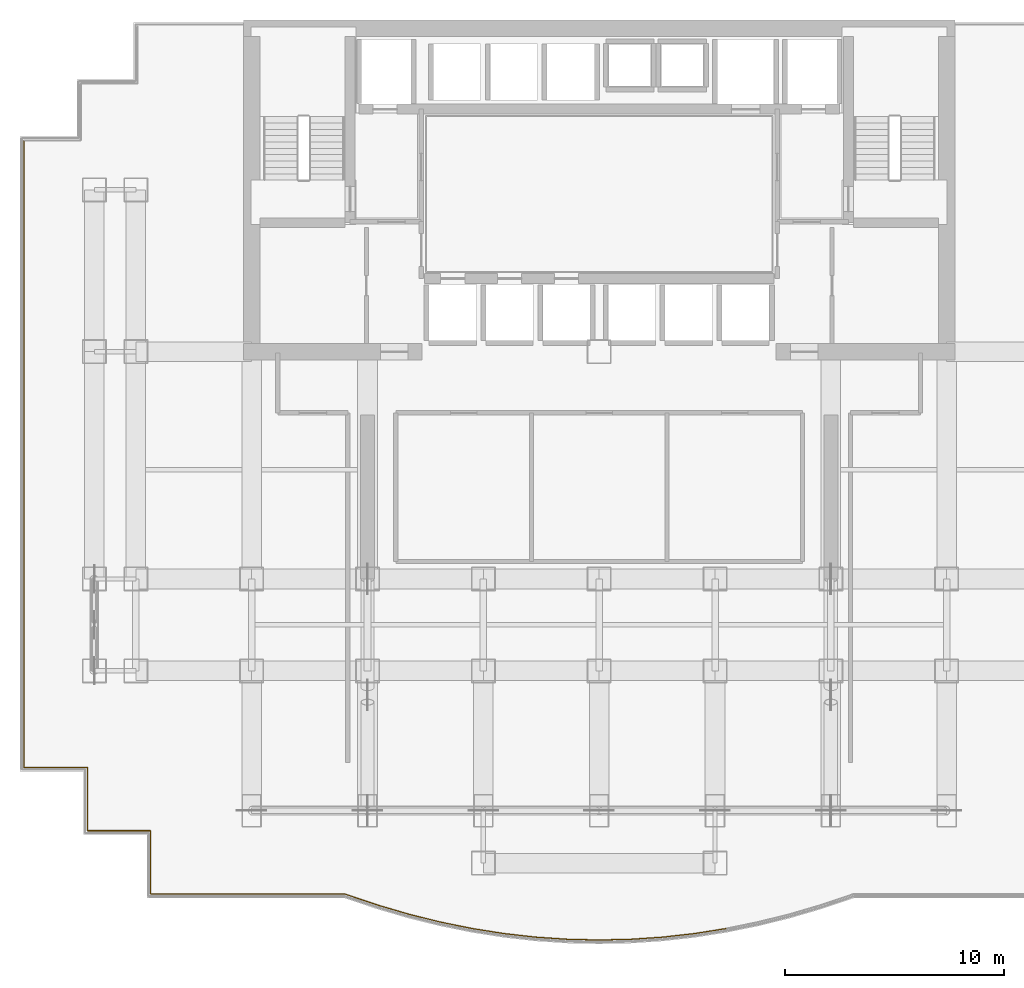
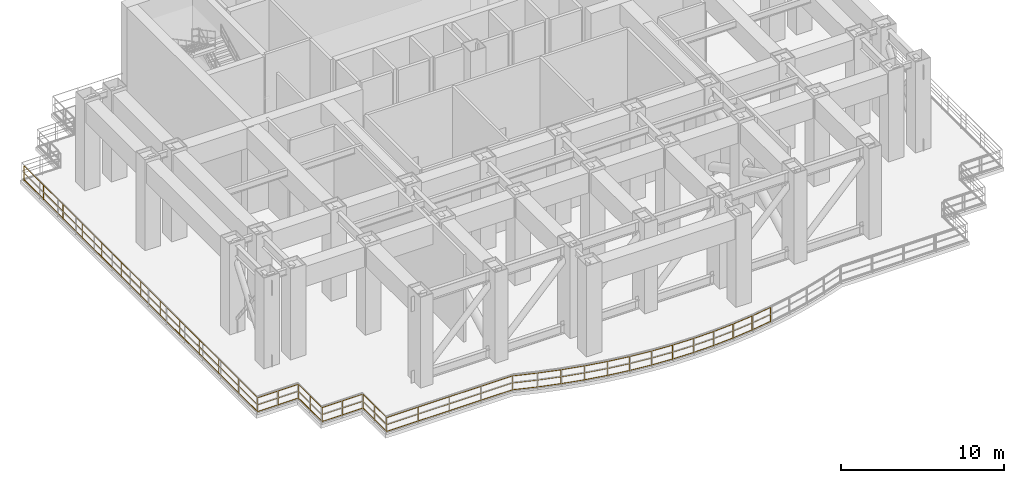
# One storey, part 5 of 7: 18 railings.
"""IFC4 building model written with IfcOpenShell, lengths in metres."""

import ifcopenshell
import ifcopenshell.guid

model = None  # the IFC model being written
_history = None  # IfcOwnerHistory: only IFC2X3 demands one
_inside = {}  # id of a spatial element -> (the spatial element, [elements in it])
_under = {}  # id of a project, library or spatial element -> (it, [spatial elements below it])
_declared = {}  # id of a project -> (the project, [libraries it declares])
_typed = {}  # id of a type object -> (the type object, [elements of that type])
_made_of = {}  # id of a material, layer set ... -> (it, [elements and type objects made of it])


def new_model(schema):
    """Start an empty IFC model of exactly this schema.

    Asked for "IFC4X3", IfcOpenShell would pick the latest addendum, in which some entities
    have other attributes; the version numbers below select the first issue.
    IFC2X3 requires an IfcOwnerHistory on every rooted entity: one is made here for all.
    """
    global model, _history
    if schema == "IFC4X3":
        model = ifcopenshell.file(schema_version=(4, 3, 0, 0))
    else:
        model = ifcopenshell.file(schema=schema)
    _inside.clear()
    _under.clear()
    _declared.clear()
    _typed.clear()
    _made_of.clear()
    _history = None
    if model.schema == "IFC2X3":
        org = make("IfcOrganization", Name="unknown")
        user = make(
            "IfcPersonAndOrganization",
            ThePerson=make("IfcPerson", FamilyName="unknown"),
            TheOrganization=org,
        )
        app = make(
            "IfcApplication",
            ApplicationDeveloper=org,
            Version="unknown",
            ApplicationFullName="unknown",
            ApplicationIdentifier="unknown",
        )
        _history = make(
            "IfcOwnerHistory",
            OwningUser=user,
            OwningApplication=app,
            ChangeAction="ADDED",
            CreationDate=0,
        )
    return model


def make(cls, **values):
    """One entity of the class cls with the attributes given. An attribute that is None is left unset."""
    return model.create_entity(
        cls, **{name: value for name, value in values.items() if value is not None}
    )


def rooted(cls, **values):
    """An entity with a GlobalId (a new one), such as an element, a storey or a relation."""
    return make(cls, GlobalId=ifcopenshell.guid.new(), OwnerHistory=_history, **values)


def si_unit(unit_type, name, prefix=None):
    """IfcSIUnit, for example si_unit("LENGTHUNIT", "METRE", prefix="MILLI")."""
    return make("IfcSIUnit", UnitType=unit_type, Prefix=prefix, Name=name)


def assignment(units):
    """IfcUnitAssignment: the units of a project."""
    return None if units is None else make("IfcUnitAssignment", Units=units)


def point(xyz):
    """IfcCartesianPoint."""
    return None if xyz is None else make("IfcCartesianPoint", Coordinates=xyz)


def direction(xyz):
    """IfcDirection."""
    return None if xyz is None else make("IfcDirection", DirectionRatios=xyz)


def frame(location, z_axis=None, x_axis=None):
    """IfcAxis2Placement3D, a coordinate frame: its origin and axes. An axis left out is left unset."""
    return make(
        "IfcAxis2Placement3D",
        Location=point(location),
        Axis=direction(z_axis),
        RefDirection=direction(x_axis),
    )


def frame_2d(location, x_axis=None):
    """IfcAxis2Placement2D, a coordinate frame in the plane: its origin and x axis."""
    return make(
        "IfcAxis2Placement2D", Location=point(location), RefDirection=direction(x_axis)
    )


def origin():
    """The frame at (0, 0, 0) with its axes left unset."""
    return frame((0.0, 0.0, 0.0))


def origin_2d():
    """The frame at (0, 0) in the plane with its x axis left unset."""
    return frame_2d((0.0, 0.0))


def place(relative_to, where):
    """IfcLocalPlacement: puts the frame where relative to a parent placement (None: the world)."""
    return make(
        "IfcLocalPlacement", PlacementRelTo=relative_to, RelativePlacement=where
    )


def context(
    kind, dimensions, precision=None, world=None, true_north=None, identifier=None
):
    """IfcGeometricRepresentationContext, for example the 3D "Model" context."""
    return make(
        "IfcGeometricRepresentationContext",
        ContextIdentifier=identifier,
        ContextType=kind,
        CoordinateSpaceDimension=dimensions,
        Precision=precision,
        WorldCoordinateSystem=world,
        TrueNorth=true_north,
    )


def subcontext(parent, identifier, kind, view, scale=None):
    """IfcGeometricRepresentationSubContext, for example "Body" below "Model"."""
    return make(
        "IfcGeometricRepresentationSubContext",
        ContextIdentifier=identifier,
        ContextType=kind,
        ParentContext=parent,
        TargetScale=scale,
        TargetView=view,
    )


def project(units=None, contexts=None):
    """IfcProject with its units and contexts."""
    return rooted(
        "IfcProject",
        Name="project",
        RepresentationContexts=contexts,
        UnitsInContext=assignment(units),
    )


def spatial(cls, under=None, at=None, **own):
    """A site, building, storey or space (cls), placed at a placement, below another one or the project."""
    s = rooted(cls, ObjectPlacement=at, **own)
    if under is not None:
        _under.setdefault(under.id(), (under, []))[1].append(s)
    return s


def profile(cls, at=None, kind="AREA", **sizes):
    """A parametric profile (cls). Its sizes go by their IFC names, for example OverallWidth=200.0."""
    return make(cls, ProfileType=kind, Position=at, **sizes)


def circle(**sizes):
    """IfcCircleProfileDef."""
    return profile("IfcCircleProfileDef", **sizes)


def extrude(swept, where, along, depth):
    """IfcExtrudedAreaSolid: the profile swept, set in the frame where, extruded along a direction by depth."""
    return make(
        "IfcExtrudedAreaSolid",
        SweptArea=swept,
        Position=where,
        ExtrudedDirection=direction(along),
        Depth=depth,
    )


def shape(context_of_items, identifier, shape_type, items):
    """IfcShapeRepresentation: the items that make up one representation, for example the "Body"."""
    return make(
        "IfcShapeRepresentation",
        ContextOfItems=context_of_items,
        RepresentationIdentifier=identifier,
        RepresentationType=shape_type,
        Items=items,
    )


def material(Name=None, Category=None):
    """IfcMaterial."""
    return make("IfcMaterial", Name=Name, Category=Category)


def made_of(thing, what):
    """Note that an element or type object is made of a material, layer set ...; save() writes the relation."""
    if what is not None:
        _made_of.setdefault(what.id(), (what, []))[1].append(thing)
    return thing


def type_object(cls, material=None, **own):
    """A type object (cls), such as IfcWallType, which elements share."""
    return made_of(rooted(cls, **own), material)


def element(
    cls,
    number,
    at=None,
    inside=None,
    cuts=None,
    type_object=None,
    material=None,
    context=None,
    identifier="Body",
    shape_type=None,
    held_by="IfcProductDefinitionShape",
    body=None,
    shapes=None,
    **own,
):
    """One element of the class cls, such as IfcWall. Its Tag is "e" and its number.

    at: its placement. inside: the storey or other place that contains it. cuts: it is an
    opening in that element (IfcRelVoidsElement). A single representation is given by context,
    identifier, shape_type and body (its items); several are given by shapes. held_by: the class
    of the entity that holds the representations. save() writes the other relations.
    """
    e = rooted(cls, Tag="e%d" % number, ObjectPlacement=at, **own)
    if body is not None:
        shapes = [shape(context, identifier, shape_type, body)]
    if shapes is not None:
        e.Representation = make(held_by, Representations=shapes)
    if inside is not None:
        _inside.setdefault(inside.id(), (inside, []))[1].append(e)
    if cuts is not None:
        rooted(
            "IfcRelVoidsElement", RelatingBuildingElement=cuts, RelatedOpeningElement=e
        )
    if type_object is not None:
        _typed.setdefault(type_object.id(), (type_object, []))[1].append(e)
    return made_of(e, material)


def aggregate(whole, parts):
    """IfcRelAggregates: a whole, such as a stair, and the parts it consists of."""
    return rooted("IfcRelAggregates", RelatingObject=whole, RelatedObjects=parts)


def save(model, path):
    """Write the relations noted so far, then the file.

    IfcRelAggregates (storeys below a building ...), IfcRelContainedInSpatialStructure (elements
    in a storey), IfcRelDefinesByType, IfcRelAssociatesMaterial and IfcRelDeclares: one each for
    every whole, place, type object, material and project.
    """
    for whole, parts in _under.values():
        aggregate(whole, parts)
    for where, things in _inside.values():
        rooted(
            "IfcRelContainedInSpatialStructure",
            RelatedElements=things,
            RelatingStructure=where,
        )
    for kind, things in _typed.values():
        rooted("IfcRelDefinesByType", RelatedObjects=things, RelatingType=kind)
    for what, things in _made_of.values():
        rooted("IfcRelAssociatesMaterial", RelatedObjects=things, RelatingMaterial=what)
    for by, libraries in _declared.values():
        rooted("IfcRelDeclares", RelatingContext=by, RelatedDefinitions=libraries)
    model.write(path)


model = new_model("IFC4")

# Units and contexts
model_context = context("Model", 3, precision=1e-05, world=origin(), true_north=direction((0.0, 1.0)))
body_context = subcontext(model_context, "Body", "Model", "MODEL_VIEW")
ifc_project = project(units=[si_unit("LENGTHUNIT", "METRE"), si_unit("AREAUNIT", "SQUARE_METRE"), si_unit("VOLUMEUNIT", "CUBIC_METRE"), si_unit("PLANEANGLEUNIT", "RADIAN"), si_unit("MASSUNIT", "GRAM", prefix="KILO")], contexts=[model_context])

# Site, building, storey
site_placement = place(None, origin())
site = spatial("IfcSite", under=ifc_project, at=site_placement, CompositionType="ELEMENT")
building_placement = place(site_placement, origin())
building = spatial("IfcBuilding", under=site, at=building_placement, Name="Qianlan Lanfeng Residences", CompositionType="ELEMENT")
storey_placement = place(building_placement, frame((0.0, 0.0, 70.39990234375)))
storey = spatial("IfcBuildingStorey", under=building, at=storey_placement, Name="L19", CompositionType="ELEMENT", Elevation=70.39990234375)

# Railings
ifc_material = material(Name="Painted Galvanised Steel Guardrail", Category="steel")
railing_type = type_object("IfcRailingType", Name="GR-ST-1120", PredefinedType="GUARDRAIL", material=ifc_material)
railing_1_placement = place(storey_placement, frame((0.179931640625, 6.179931640625, 0.0)))
element("IfcRailing", 1, at=railing_1_placement, inside=storey, type_object=railing_type, Name="L19 Wind-Slot Open Perimeter Guardrail 1", PredefinedType="GUARDRAIL", context=body_context, shape_type="SweptSolid", body=[
    extrude(circle(Radius=0.02392578125, at=origin_2d()), frame((0.0, 0.0, 0.083984375), z_axis=(0.0, 1.0, 0.0), x_axis=(-1.0, 0.0, 0.0)), (0.0, 0.0, 1.0), 28.690185546875),
    extrude(circle(Radius=0.02392578125, at=origin_2d()), frame((0.0, 0.0, 0.597900390625), z_axis=(0.0, 1.0, 0.0), x_axis=(-1.0, 0.0, 0.0)), (0.0, 0.0, 1.0), 28.690185546875),
    extrude(circle(Radius=0.02392578125, at=origin_2d()), frame((0.0, 0.0, 1.1259765625), z_axis=(0.0, 1.0, 0.0), x_axis=(-1.0, 0.0, 0.0)), (0.0, 0.0, 1.0), 28.690185546875),
    extrude(circle(Radius=0.02099609375, at=origin_2d()), origin(), (0.0, 0.0, 1.0), 1.101806640625),
    extrude(circle(Radius=0.02099609375, at=origin_2d()), frame((0.0, 2.390869140625, 0.0)), (0.0, 0.0, 1.0), 1.101806640625),
    extrude(circle(Radius=0.02099609375, at=origin_2d()), frame((0.0, 4.78173828125, 0.0)), (0.0, 0.0, 1.0), 1.101806640625),
    extrude(circle(Radius=0.02099609375, at=origin_2d()), frame((0.0, 7.172607421875, 0.0)), (0.0, 0.0, 1.0), 1.101806640625),
    extrude(circle(Radius=0.02099609375, at=origin_2d()), frame((0.0, 9.5634765625, 0.0)), (0.0, 0.0, 1.0), 1.101806640625),
    extrude(circle(Radius=0.02099609375, at=origin_2d()), frame((0.0, 11.954345703125, 0.0)), (0.0, 0.0, 1.0), 1.101806640625),
    extrude(circle(Radius=0.02099609375, at=origin_2d()), frame((0.0, 14.34521484375, 0.0)), (0.0, 0.0, 1.0), 1.101806640625),
    extrude(circle(Radius=0.02099609375, at=origin_2d()), frame((0.0, 16.73583984375, 0.0)), (0.0, 0.0, 1.0), 1.101806640625),
    extrude(circle(Radius=0.02099609375, at=origin_2d()), frame((0.0, 19.126708984375, 0.0)), (0.0, 0.0, 1.0), 1.101806640625),
    extrude(circle(Radius=0.02099609375, at=origin_2d()), frame((0.0, 21.517578125, 0.0)), (0.0, 0.0, 1.0), 1.101806640625),
    extrude(circle(Radius=0.02099609375, at=origin_2d()), frame((0.0, 23.908447265625, 0.0)), (0.0, 0.0, 1.0), 1.101806640625),
    extrude(circle(Radius=0.02099609375, at=origin_2d()), frame((0.0, 26.29931640625, 0.0)), (0.0, 0.0, 1.0), 1.101806640625),
    extrude(circle(Radius=0.02099609375, at=origin_2d()), frame((0.0, 28.690185546875, 0.0)), (0.0, 0.0, 1.0), 1.101806640625),
])
railing_2_placement = place(storey_placement, frame((32.29296875, -1.197998046875, 0.0)))
element("IfcRailing", 2, at=railing_2_placement, inside=storey, type_object=railing_type, Name="L19 Wind-Slot Open Perimeter Guardrail 20", PredefinedType="GUARDRAIL", context=body_context, shape_type="SweptSolid", body=[
    extrude(circle(Radius=0.02392578125, at=origin_2d()), frame((0.0, 0.0, 0.083984375), z_axis=(-0.98772377578, -0.156210571857, 0.0), x_axis=(0.156210571857, -0.98772377578, 0.0)), (0.0, 0.0, 1.0), 1.466064453125),
    extrude(circle(Radius=0.02392578125, at=origin_2d()), frame((0.0, 0.0, 0.597900390625), z_axis=(-0.98772377578, -0.156210571857, 0.0), x_axis=(0.156210571857, -0.98772377578, 0.0)), (0.0, 0.0, 1.0), 1.466064453125),
    extrude(circle(Radius=0.02392578125, at=origin_2d()), frame((0.0, 0.0, 1.1259765625), z_axis=(-0.98772377578, -0.156210571857, 0.0), x_axis=(0.156210571857, -0.98772377578, 0.0)), (0.0, 0.0, 1.0), 1.466064453125),
    extrude(circle(Radius=0.02099609375, at=origin_2d()), origin(), (0.0, 0.0, 1.0), 1.101806640625),
    extrude(circle(Radius=0.02099609375, at=origin_2d()), frame((-1.447998046875, -0.22900390625, 0.0)), (0.0, 0.0, 1.0), 1.101806640625),
])
railing_3_placement = place(storey_placement, frame((30.844970703125, -1.427001953125, 0.0)))
element("IfcRailing", 3, at=railing_3_placement, inside=storey, type_object=railing_type, Name="L19 Wind-Slot Open Perimeter Guardrail 21", PredefinedType="GUARDRAIL", context=body_context, shape_type="SweptSolid", body=[
    extrude(circle(Radius=0.02392578125, at=origin_2d()), frame((0.0, 0.0, 0.083984375), z_axis=(-0.993725502004, -0.111846442349, 0.0), x_axis=(0.111846442349, -0.993725502004, 0.0)), (0.0, 0.0, 1.0), 1.4580078125),
    extrude(circle(Radius=0.02392578125, at=origin_2d()), frame((0.0, 0.0, 0.597900390625), z_axis=(-0.993725502004, -0.111846442349, 0.0), x_axis=(0.111846442349, -0.993725502004, 0.0)), (0.0, 0.0, 1.0), 1.4580078125),
    extrude(circle(Radius=0.02392578125, at=origin_2d()), frame((0.0, 0.0, 1.1259765625), z_axis=(-0.993725502004, -0.111846442349, 0.0), x_axis=(0.111846442349, -0.993725502004, 0.0)), (0.0, 0.0, 1.0), 1.4580078125),
    extrude(circle(Radius=0.02099609375, at=origin_2d()), origin(), (0.0, 0.0, 1.0), 1.101806640625),
    extrude(circle(Radius=0.02099609375, at=origin_2d()), frame((-1.448974609375, -0.1630859375, 0.0)), (0.0, 0.0, 1.0), 1.101806640625),
])
railing_4_placement = place(storey_placement, frame((29.39599609375, -1.590087890625, 0.0)))
element("IfcRailing", 4, at=railing_4_placement, inside=storey, type_object=railing_type, Name="L19 Wind-Slot Open Perimeter Guardrail 22", PredefinedType="GUARDRAIL", context=body_context, shape_type="SweptSolid", body=[
    extrude(circle(Radius=0.02392578125, at=origin_2d()), frame((0.0, 0.0, 0.083984375), z_axis=(-0.997767256826, -0.066786983807, 0.0), x_axis=(0.066786983807, -0.997767256826, 0.0)), (0.0, 0.0, 1.0), 1.451171875),
    extrude(circle(Radius=0.02392578125, at=origin_2d()), frame((0.0, 0.0, 0.597900390625), z_axis=(-0.997767256826, -0.066786983807, 0.0), x_axis=(0.066786983807, -0.997767256826, 0.0)), (0.0, 0.0, 1.0), 1.451171875),
    extrude(circle(Radius=0.02392578125, at=origin_2d()), frame((0.0, 0.0, 1.1259765625), z_axis=(-0.997767256826, -0.066786983807, 0.0), x_axis=(0.066786983807, -0.997767256826, 0.0)), (0.0, 0.0, 1.0), 1.451171875),
    extrude(circle(Radius=0.02099609375, at=origin_2d()), origin(), (0.0, 0.0, 1.0), 1.101806640625),
    extrude(circle(Radius=0.02099609375, at=origin_2d()), frame((-1.447998046875, -0.096923828125, 0.0)), (0.0, 0.0, 1.0), 1.101806640625),
])
railing_5_placement = place(storey_placement, frame((27.947998046875, -1.68701171875, 0.0)))
element("IfcRailing", 5, at=railing_5_placement, inside=storey, type_object=railing_type, Name="L19 Wind-Slot Open Perimeter Guardrail 23", PredefinedType="GUARDRAIL", context=body_context, shape_type="SweptSolid", body=[
    extrude(circle(Radius=0.02392578125, at=origin_2d()), frame((0.0, 0.0, 0.083984375), z_axis=(-0.999741051751, -0.022755866125, 0.0), x_axis=(0.022755866125, -0.999741051751, 0.0)), (0.0, 0.0, 1.0), 1.448486328125),
    extrude(circle(Radius=0.02392578125, at=origin_2d()), frame((0.0, 0.0, 0.597900390625), z_axis=(-0.999741051751, -0.022755866125, 0.0), x_axis=(0.022755866125, -0.999741051751, 0.0)), (0.0, 0.0, 1.0), 1.448486328125),
    extrude(circle(Radius=0.02392578125, at=origin_2d()), frame((0.0, 0.0, 1.1259765625), z_axis=(-0.999741051751, -0.022755866125, 0.0), x_axis=(0.022755866125, -0.999741051751, 0.0)), (0.0, 0.0, 1.0), 1.448486328125),
    extrude(circle(Radius=0.02099609375, at=origin_2d()), origin(), (0.0, 0.0, 1.0), 1.101806640625),
    extrude(circle(Radius=0.02099609375, at=origin_2d()), frame((-1.447998046875, -0.032958984375, 0.0)), (0.0, 0.0, 1.0), 1.101806640625),
])
railing_6_placement = place(storey_placement, frame((26.5, -1.719970703125, 0.0)))
element("IfcRailing", 6, at=railing_6_placement, inside=storey, type_object=railing_type, Name="L19 Wind-Slot Open Perimeter Guardrail 24", PredefinedType="GUARDRAIL", context=body_context, shape_type="SweptSolid", body=[
    extrude(circle(Radius=0.02392578125, at=origin_2d()), frame((0.0, 0.0, 0.083984375), z_axis=(-0.999741051751, 0.022755866125, 0.0), x_axis=(-0.022755866125, -0.999741051751, 0.0)), (0.0, 0.0, 1.0), 1.448486328125),
    extrude(circle(Radius=0.02392578125, at=origin_2d()), frame((0.0, 0.0, 0.597900390625), z_axis=(-0.999741051751, 0.022755866125, 0.0), x_axis=(-0.022755866125, -0.999741051751, 0.0)), (0.0, 0.0, 1.0), 1.448486328125),
    extrude(circle(Radius=0.02392578125, at=origin_2d()), frame((0.0, 0.0, 1.1259765625), z_axis=(-0.999741051751, 0.022755866125, 0.0), x_axis=(-0.022755866125, -0.999741051751, 0.0)), (0.0, 0.0, 1.0), 1.448486328125),
    extrude(circle(Radius=0.02099609375, at=origin_2d()), origin(), (0.0, 0.0, 1.0), 1.101806640625),
    extrude(circle(Radius=0.02099609375, at=origin_2d()), frame((-1.447998046875, 0.032958984375, 0.0)), (0.0, 0.0, 1.0), 1.101806640625),
])
railing_7_placement = place(storey_placement, frame((25.052001953125, -1.68701171875, 0.0)))
element("IfcRailing", 7, at=railing_7_placement, inside=storey, type_object=railing_type, Name="L19 Wind-Slot Open Perimeter Guardrail 25", PredefinedType="GUARDRAIL", context=body_context, shape_type="SweptSolid", body=[
    extrude(circle(Radius=0.02392578125, at=origin_2d()), frame((0.0, 0.0, 0.083984375), z_axis=(-0.997770255352, 0.066742172093, 0.0), x_axis=(-0.066742172093, -0.997770255352, 0.0)), (0.0, 0.0, 1.0), 1.4521484375),
    extrude(circle(Radius=0.02392578125, at=origin_2d()), frame((0.0, 0.0, 0.597900390625), z_axis=(-0.997770255352, 0.066742172093, 0.0), x_axis=(-0.066742172093, -0.997770255352, 0.0)), (0.0, 0.0, 1.0), 1.4521484375),
    extrude(circle(Radius=0.02392578125, at=origin_2d()), frame((0.0, 0.0, 1.1259765625), z_axis=(-0.997770255352, 0.066742172093, 0.0), x_axis=(-0.066742172093, -0.997770255352, 0.0)), (0.0, 0.0, 1.0), 1.4521484375),
    extrude(circle(Radius=0.02099609375, at=origin_2d()), origin(), (0.0, 0.0, 1.0), 1.101806640625),
    extrude(circle(Radius=0.02099609375, at=origin_2d()), frame((-1.448974609375, 0.096923828125, 0.0)), (0.0, 0.0, 1.0), 1.101806640625),
])
railing_8_placement = place(storey_placement, frame((23.60302734375, -1.590087890625, 0.0)))
element("IfcRailing", 8, at=railing_8_placement, inside=storey, type_object=railing_type, Name="L19 Wind-Slot Open Perimeter Guardrail 26", PredefinedType="GUARDRAIL", context=body_context, shape_type="SweptSolid", body=[
    extrude(circle(Radius=0.02392578125, at=origin_2d()), frame((0.0, 0.0, 0.083984375), z_axis=(-0.993717115446, 0.111920929543, 0.0), x_axis=(-0.111920929543, -0.993717115446, 0.0)), (0.0, 0.0, 1.0), 1.45703125),
    extrude(circle(Radius=0.02392578125, at=origin_2d()), frame((0.0, 0.0, 0.597900390625), z_axis=(-0.993717115446, 0.111920929543, 0.0), x_axis=(-0.111920929543, -0.993717115446, 0.0)), (0.0, 0.0, 1.0), 1.45703125),
    extrude(circle(Radius=0.02392578125, at=origin_2d()), frame((0.0, 0.0, 1.1259765625), z_axis=(-0.993717115446, 0.111920929543, 0.0), x_axis=(-0.111920929543, -0.993717115446, 0.0)), (0.0, 0.0, 1.0), 1.45703125),
    extrude(circle(Radius=0.02099609375, at=origin_2d()), origin(), (0.0, 0.0, 1.0), 1.101806640625),
    extrude(circle(Radius=0.02099609375, at=origin_2d()), frame((-1.447998046875, 0.1630859375, 0.0)), (0.0, 0.0, 1.0), 1.101806640625),
])
railing_9_placement = place(storey_placement, frame((22.155029296875, -1.427001953125, 0.0)))
element("IfcRailing", 9, at=railing_9_placement, inside=storey, type_object=railing_type, Name="L19 Wind-Slot Open Perimeter Guardrail 27", PredefinedType="GUARDRAIL", context=body_context, shape_type="SweptSolid", body=[
    extrude(circle(Radius=0.02392578125, at=origin_2d()), frame((0.0, 0.0, 0.083984375), z_axis=(-0.98772377578, 0.156210571857, 0.0), x_axis=(-0.156210571857, -0.98772377578, 0.0)), (0.0, 0.0, 1.0), 1.466064453125),
    extrude(circle(Radius=0.02392578125, at=origin_2d()), frame((0.0, 0.0, 0.597900390625), z_axis=(-0.98772377578, 0.156210571857, 0.0), x_axis=(-0.156210571857, -0.98772377578, 0.0)), (0.0, 0.0, 1.0), 1.466064453125),
    extrude(circle(Radius=0.02392578125, at=origin_2d()), frame((0.0, 0.0, 1.1259765625), z_axis=(-0.98772377578, 0.156210571857, 0.0), x_axis=(-0.156210571857, -0.98772377578, 0.0)), (0.0, 0.0, 1.0), 1.466064453125),
    extrude(circle(Radius=0.02099609375, at=origin_2d()), origin(), (0.0, 0.0, 1.0), 1.101806640625),
    extrude(circle(Radius=0.02099609375, at=origin_2d()), frame((-1.447998046875, 0.22900390625, 0.0)), (0.0, 0.0, 1.0), 1.101806640625),
])
railing_10_placement = place(storey_placement, frame((20.70703125, -1.197998046875, 0.0)))
element("IfcRailing", 10, at=railing_10_placement, inside=storey, type_object=railing_type, Name="L19 Wind-Slot Open Perimeter Guardrail 28", PredefinedType="GUARDRAIL", context=body_context, shape_type="SweptSolid", body=[
    extrude(circle(Radius=0.02392578125, at=origin_2d()), frame((0.0, 0.0, 0.083984375), z_axis=(-0.980010984121, 0.198943386424, 0.0), x_axis=(-0.198943386424, -0.980010984121, 0.0)), (0.0, 0.0, 1.0), 1.4775390625),
    extrude(circle(Radius=0.02392578125, at=origin_2d()), frame((0.0, 0.0, 0.597900390625), z_axis=(-0.980010984121, 0.198943386424, 0.0), x_axis=(-0.198943386424, -0.980010984121, 0.0)), (0.0, 0.0, 1.0), 1.4775390625),
    extrude(circle(Radius=0.02392578125, at=origin_2d()), frame((0.0, 0.0, 1.1259765625), z_axis=(-0.980010984121, 0.198943386424, 0.0), x_axis=(-0.198943386424, -0.980010984121, 0.0)), (0.0, 0.0, 1.0), 1.4775390625),
    extrude(circle(Radius=0.02099609375, at=origin_2d()), origin(), (0.0, 0.0, 1.0), 1.101806640625),
    extrude(circle(Radius=0.02099609375, at=origin_2d()), frame((-1.447998046875, 0.2939453125, 0.0)), (0.0, 0.0, 1.0), 1.101806640625),
])
railing_11_placement = place(storey_placement, frame((19.259033203125, -0.904052734375, 0.0)))
element("IfcRailing", 11, at=railing_11_placement, inside=storey, type_object=railing_type, Name="L19 Wind-Slot Open Perimeter Guardrail 29", PredefinedType="GUARDRAIL", context=body_context, shape_type="SweptSolid", body=[
    extrude(circle(Radius=0.02392578125, at=origin_2d()), frame((0.0, 0.0, 0.083984375), z_axis=(-0.970668970292, 0.240419945328, 0.0), x_axis=(-0.240419945328, -0.970668970292, 0.0)), (0.0, 0.0, 1.0), 1.49365234375),
    extrude(circle(Radius=0.02392578125, at=origin_2d()), frame((0.0, 0.0, 0.597900390625), z_axis=(-0.970668970292, 0.240419945328, 0.0), x_axis=(-0.240419945328, -0.970668970292, 0.0)), (0.0, 0.0, 1.0), 1.49365234375),
    extrude(circle(Radius=0.02392578125, at=origin_2d()), frame((0.0, 0.0, 1.1259765625), z_axis=(-0.970668970292, 0.240419945328, 0.0), x_axis=(-0.240419945328, -0.970668970292, 0.0)), (0.0, 0.0, 1.0), 1.49365234375),
    extrude(circle(Radius=0.02099609375, at=origin_2d()), origin(), (0.0, 0.0, 1.0), 1.101806640625),
    extrude(circle(Radius=0.02099609375, at=origin_2d()), frame((-1.449951171875, 0.359130859375, 0.0)), (0.0, 0.0, 1.0), 1.101806640625),
])
railing_12_placement = place(storey_placement, frame((17.80908203125, -0.544921875, 0.0)))
element("IfcRailing", 12, at=railing_12_placement, inside=storey, type_object=railing_type, Name="L19 Wind-Slot Open Perimeter Guardrail 30", PredefinedType="GUARDRAIL", context=body_context, shape_type="SweptSolid", body=[
    extrude(circle(Radius=0.02392578125, at=origin_2d()), frame((0.0, 0.0, 0.083984375), z_axis=(-0.959609730683, 0.281334613545, 0.0), x_axis=(-0.281334613545, -0.959609730683, 0.0)), (0.0, 0.0, 1.0), 1.510009765625),
    extrude(circle(Radius=0.02392578125, at=origin_2d()), frame((0.0, 0.0, 0.597900390625), z_axis=(-0.959609730683, 0.281334613545, 0.0), x_axis=(-0.281334613545, -0.959609730683, 0.0)), (0.0, 0.0, 1.0), 1.510009765625),
    extrude(circle(Radius=0.02392578125, at=origin_2d()), frame((0.0, 0.0, 1.1259765625), z_axis=(-0.959609730683, 0.281334613545, 0.0), x_axis=(-0.281334613545, -0.959609730683, 0.0)), (0.0, 0.0, 1.0), 1.510009765625),
    extrude(circle(Radius=0.02099609375, at=origin_2d()), origin(), (0.0, 0.0, 1.0), 1.101806640625),
    extrude(circle(Radius=0.02099609375, at=origin_2d()), frame((-1.448974609375, 0.4248046875, 0.0)), (0.0, 0.0, 1.0), 1.101806640625),
])
railing_13_placement = place(storey_placement, frame((16.360107421875, -0.1201171875, 0.0)))
element("IfcRailing", 13, at=railing_13_placement, inside=storey, type_object=railing_type, Name="L19 Wind-Slot Open Perimeter Guardrail 31", PredefinedType="GUARDRAIL", context=body_context, shape_type="SweptSolid", body=[
    extrude(circle(Radius=0.02392578125, at=origin_2d()), frame((0.0, 0.0, 0.083984375), z_axis=(-0.947409985433, 0.32002237344, 0.0), x_axis=(-0.32002237344, -0.947409985433, 0.0)), (0.0, 0.0, 1.0), 1.5625),
    extrude(circle(Radius=0.02392578125, at=origin_2d()), frame((0.0, 0.0, 0.597900390625), z_axis=(-0.947409985433, 0.32002237344, 0.0), x_axis=(-0.32002237344, -0.947409985433, 0.0)), (0.0, 0.0, 1.0), 1.5625),
    extrude(circle(Radius=0.02392578125, at=origin_2d()), frame((0.0, 0.0, 1.1259765625), z_axis=(-0.947409985433, 0.32002237344, 0.0), x_axis=(-0.32002237344, -0.947409985433, 0.0)), (0.0, 0.0, 1.0), 1.5625),
    extrude(circle(Radius=0.02099609375, at=origin_2d()), origin(), (0.0, 0.0, 1.0), 1.101806640625),
    extrude(circle(Radius=0.02099609375, at=origin_2d()), frame((-1.480224609375, 0.5, 0.0)), (0.0, 0.0, 1.0), 1.101806640625),
])
railing_14_placement = place(storey_placement, frame((14.8798828125, 0.3798828125, 0.0)))
element("IfcRailing", 14, at=railing_14_placement, inside=storey, type_object=railing_type, Name="L19 Wind-Slot Open Perimeter Guardrail 32", PredefinedType="GUARDRAIL", context=body_context, shape_type="SweptSolid", body=[
    extrude(circle(Radius=0.02392578125, at=origin_2d()), frame((0.0, 0.0, 0.083984375), z_axis=(-1.0, 0.0, 0.0), x_axis=(0.0, -1.0, 0.0)), (0.0, 0.0, 1.0), 8.89990234375),
    extrude(circle(Radius=0.02392578125, at=origin_2d()), frame((0.0, 0.0, 0.597900390625), z_axis=(-1.0, 0.0, 0.0), x_axis=(0.0, -1.0, 0.0)), (0.0, 0.0, 1.0), 8.89990234375),
    extrude(circle(Radius=0.02392578125, at=origin_2d()), frame((0.0, 0.0, 1.1259765625), z_axis=(-1.0, 0.0, 0.0), x_axis=(0.0, -1.0, 0.0)), (0.0, 0.0, 1.0), 8.89990234375),
    extrude(circle(Radius=0.02099609375, at=origin_2d()), origin(), (0.0, 0.0, 1.0), 1.101806640625),
    extrude(circle(Radius=0.02099609375, at=origin_2d()), frame((-2.22509765625, 0.0, 0.0)), (0.0, 0.0, 1.0), 1.101806640625),
    extrude(circle(Radius=0.02099609375, at=origin_2d()), frame((-4.449951171875, 0.0, 0.0)), (0.0, 0.0, 1.0), 1.101806640625),
    extrude(circle(Radius=0.02099609375, at=origin_2d()), frame((-6.6748046875, 0.0, 0.0)), (0.0, 0.0, 1.0), 1.101806640625),
    extrude(circle(Radius=0.02099609375, at=origin_2d()), frame((-8.89990234375, 0.0, 0.0)), (0.0, 0.0, 1.0), 1.101806640625),
])
railing_15_placement = place(storey_placement, frame((5.97998046875, 0.3798828125, 0.0)))
element("IfcRailing", 15, at=railing_15_placement, inside=storey, type_object=railing_type, Name="L19 Wind-Slot Open Perimeter Guardrail 33", PredefinedType="GUARDRAIL", context=body_context, shape_type="SweptSolid", body=[
    extrude(circle(Radius=0.02392578125, at=origin_2d()), frame((0.0, 0.0, 0.083984375), z_axis=(0.0, 1.0, 0.0), x_axis=(-1.0, 0.0, 0.0)), (0.0, 0.0, 1.0), 2.900146484375),
    extrude(circle(Radius=0.02392578125, at=origin_2d()), frame((0.0, 0.0, 0.597900390625), z_axis=(0.0, 1.0, 0.0), x_axis=(-1.0, 0.0, 0.0)), (0.0, 0.0, 1.0), 2.900146484375),
    extrude(circle(Radius=0.02392578125, at=origin_2d()), frame((0.0, 0.0, 1.1259765625), z_axis=(0.0, 1.0, 0.0), x_axis=(-1.0, 0.0, 0.0)), (0.0, 0.0, 1.0), 2.900146484375),
    extrude(circle(Radius=0.02099609375, at=origin_2d()), origin(), (0.0, 0.0, 1.0), 1.101806640625),
    extrude(circle(Radius=0.02099609375, at=origin_2d()), frame((0.0, 1.4501953125, 0.0)), (0.0, 0.0, 1.0), 1.101806640625),
    extrude(circle(Radius=0.02099609375, at=origin_2d()), frame((0.0, 2.900146484375, 0.0)), (0.0, 0.0, 1.0), 1.101806640625),
])
railing_16_placement = place(storey_placement, frame((5.97998046875, 3.280029296875, 0.0)))
element("IfcRailing", 16, at=railing_16_placement, inside=storey, type_object=railing_type, Name="L19 Wind-Slot Open Perimeter Guardrail 34", PredefinedType="GUARDRAIL", context=body_context, shape_type="SweptSolid", body=[
    extrude(circle(Radius=0.02392578125, at=origin_2d()), frame((0.0, 0.0, 0.083984375), z_axis=(-1.0, 0.0, 0.0), x_axis=(0.0, -1.0, 0.0)), (0.0, 0.0, 1.0), 2.89990234375),
    extrude(circle(Radius=0.02392578125, at=origin_2d()), frame((0.0, 0.0, 0.597900390625), z_axis=(-1.0, 0.0, 0.0), x_axis=(0.0, -1.0, 0.0)), (0.0, 0.0, 1.0), 2.89990234375),
    extrude(circle(Radius=0.02392578125, at=origin_2d()), frame((0.0, 0.0, 1.1259765625), z_axis=(-1.0, 0.0, 0.0), x_axis=(0.0, -1.0, 0.0)), (0.0, 0.0, 1.0), 2.89990234375),
    extrude(circle(Radius=0.02099609375, at=origin_2d()), origin(), (0.0, 0.0, 1.0), 1.101806640625),
    extrude(circle(Radius=0.02099609375, at=origin_2d()), frame((-1.449951171875, 0.0, 0.0)), (0.0, 0.0, 1.0), 1.101806640625),
    extrude(circle(Radius=0.02099609375, at=origin_2d()), frame((-2.89990234375, 0.0, 0.0)), (0.0, 0.0, 1.0), 1.101806640625),
])
railing_17_placement = place(storey_placement, frame((3.080078125, 3.280029296875, 0.0)))
element("IfcRailing", 17, at=railing_17_placement, inside=storey, type_object=railing_type, Name="L19 Wind-Slot Open Perimeter Guardrail 35", PredefinedType="GUARDRAIL", context=body_context, shape_type="SweptSolid", body=[
    extrude(circle(Radius=0.02392578125, at=origin_2d()), frame((0.0, 0.0, 0.083984375), z_axis=(0.0, 1.0, 0.0), x_axis=(-1.0, 0.0, 0.0)), (0.0, 0.0, 1.0), 2.89990234375),
    extrude(circle(Radius=0.02392578125, at=origin_2d()), frame((0.0, 0.0, 0.597900390625), z_axis=(0.0, 1.0, 0.0), x_axis=(-1.0, 0.0, 0.0)), (0.0, 0.0, 1.0), 2.89990234375),
    extrude(circle(Radius=0.02392578125, at=origin_2d()), frame((0.0, 0.0, 1.1259765625), z_axis=(0.0, 1.0, 0.0), x_axis=(-1.0, 0.0, 0.0)), (0.0, 0.0, 1.0), 2.89990234375),
    extrude(circle(Radius=0.02099609375, at=origin_2d()), origin(), (0.0, 0.0, 1.0), 1.101806640625),
    extrude(circle(Radius=0.02099609375, at=origin_2d()), frame((0.0, 1.449951171875, 0.0)), (0.0, 0.0, 1.0), 1.101806640625),
    extrude(circle(Radius=0.02099609375, at=origin_2d()), frame((0.0, 2.89990234375, 0.0)), (0.0, 0.0, 1.0), 1.101806640625),
])
railing_18_placement = place(storey_placement, frame((3.080078125, 6.179931640625, 0.0)))
element("IfcRailing", 18, at=railing_18_placement, inside=storey, type_object=railing_type, Name="L19 Wind-Slot Open Perimeter Guardrail 36", PredefinedType="GUARDRAIL", context=body_context, shape_type="SweptSolid", body=[
    extrude(circle(Radius=0.02392578125, at=origin_2d()), frame((0.0, 0.0, 0.083984375), z_axis=(-1.0, 0.0, 0.0), x_axis=(0.0, -1.0, 0.0)), (0.0, 0.0, 1.0), 2.900146484375),
    extrude(circle(Radius=0.02392578125, at=origin_2d()), frame((0.0, 0.0, 0.597900390625), z_axis=(-1.0, 0.0, 0.0), x_axis=(0.0, -1.0, 0.0)), (0.0, 0.0, 1.0), 2.900146484375),
    extrude(circle(Radius=0.02392578125, at=origin_2d()), frame((0.0, 0.0, 1.1259765625), z_axis=(-1.0, 0.0, 0.0), x_axis=(0.0, -1.0, 0.0)), (0.0, 0.0, 1.0), 2.900146484375),
    extrude(circle(Radius=0.02099609375, at=origin_2d()), origin(), (0.0, 0.0, 1.0), 1.101806640625),
    extrude(circle(Radius=0.02099609375, at=origin_2d()), frame((-1.4501953125, 0.0, 0.0)), (0.0, 0.0, 1.0), 1.101806640625),
    extrude(circle(Radius=0.02099609375, at=origin_2d()), frame((-2.900146484375, 0.0, 0.0)), (0.0, 0.0, 1.0), 1.101806640625),
])

save(model, "model.ifc")
